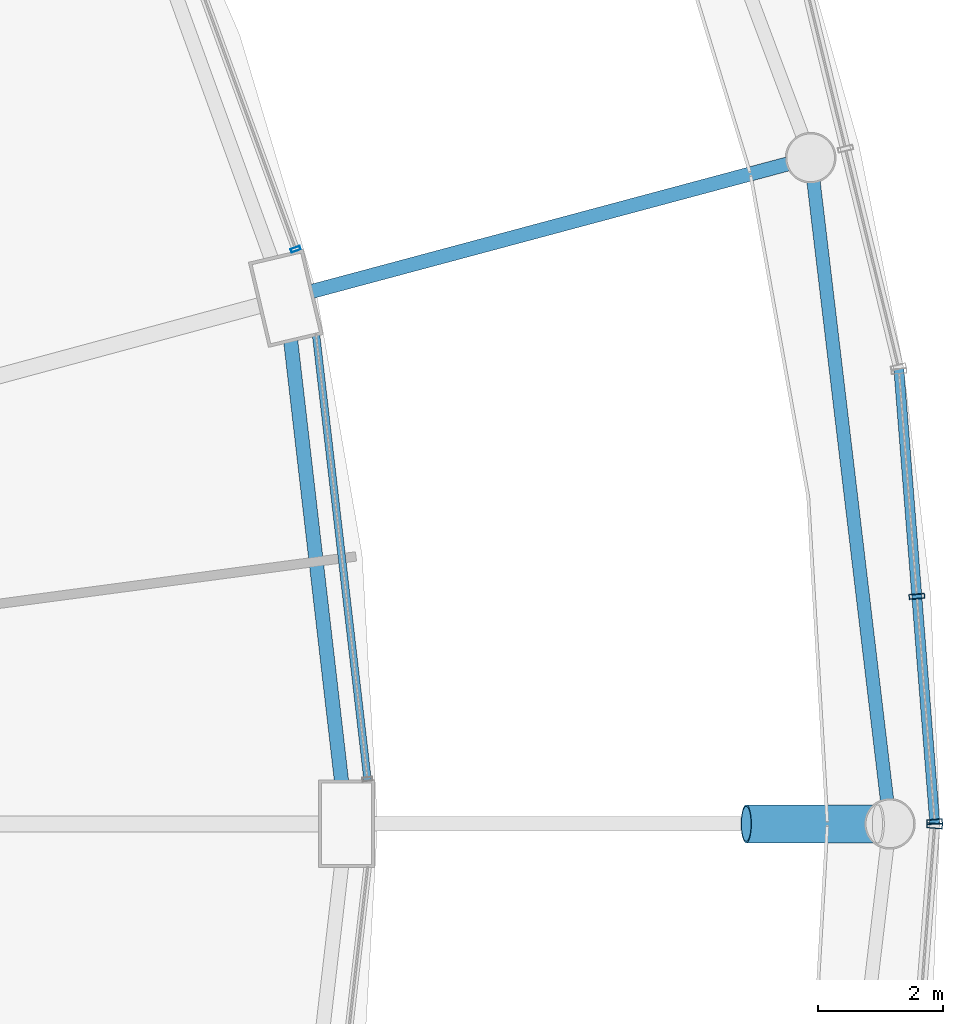
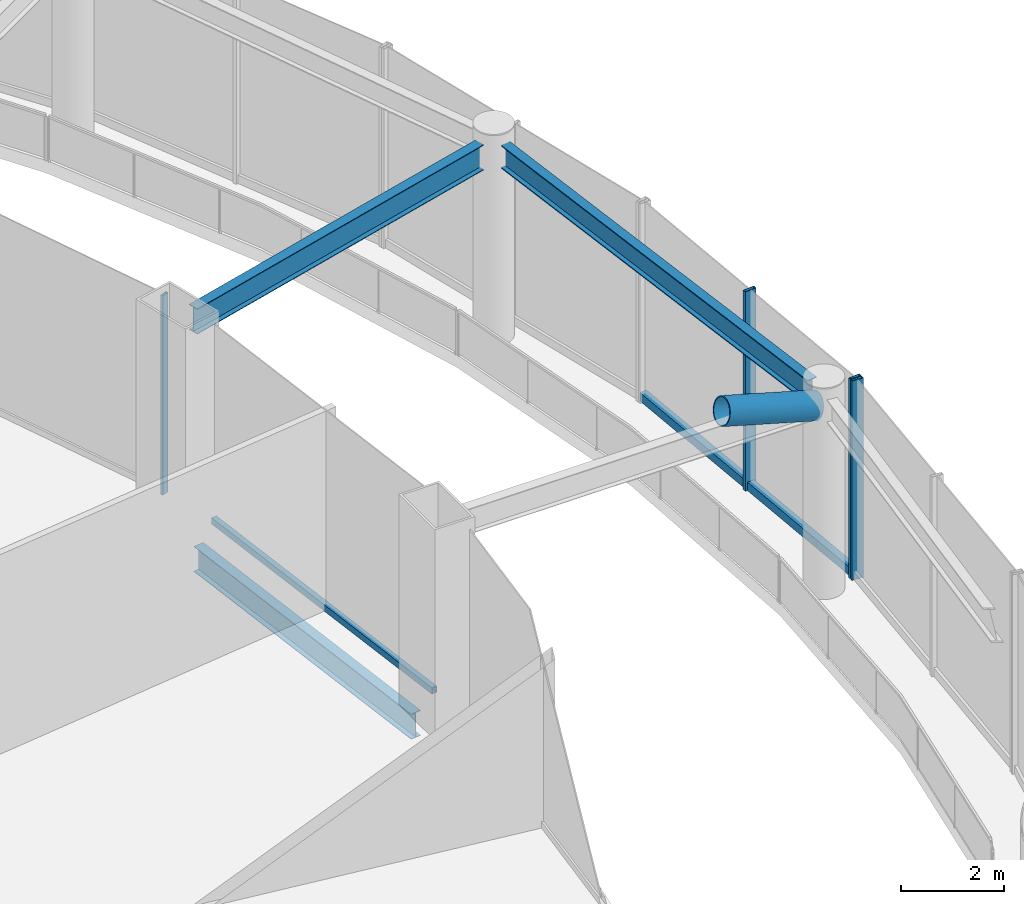
# One storey, part 28 of 52: 7 members, 3 beams, 4 elements without a shape of their own.
"""IFC4 building model written with IfcOpenShell, lengths in metres."""

from ifc_helpers import new_model, si_unit, direction, frame, origin, origin_2d, place, context, subcontext, project, spatial, hollow_rectangle, hollow_circle, i_section, extrude, material, layer, layer_set, material_profile, profile_set, type_object, element, aggregate, save


model = new_model("IFC4")

# Units and contexts
model_context = context("Model", 3, precision=1e-05, world=origin(), true_north=direction((0.0, 1.0)))
body_context = subcontext(model_context, "Body", "Model", "MODEL_VIEW")
ifc_project = project(units=[si_unit("LENGTHUNIT", "METRE"), si_unit("AREAUNIT", "SQUARE_METRE"), si_unit("VOLUMEUNIT", "CUBIC_METRE"), si_unit("PLANEANGLEUNIT", "RADIAN"), si_unit("MASSUNIT", "GRAM", prefix="KILO")], contexts=[model_context])

# Site, building, storey
site_placement = place(None, origin())
site = spatial("IfcSite", under=ifc_project, at=site_placement, CompositionType="ELEMENT")
building_placement = place(site_placement, origin())
building = spatial("IfcBuilding", under=site, at=building_placement, Name="Nagisa Residences", CompositionType="ELEMENT")
storey_placement = place(building_placement, frame((0.0, 0.0, 22.0)))
storey = spatial("IfcBuildingStorey", under=building, at=storey_placement, Name="L04", CompositionType="ELEMENT", Elevation=22.0)

# Beams
ifc_material_1 = material(Name="Steel ASTM A572 Gr 50", Category="steel")
ifc_material_profile_1 = material_profile(ifc_material_1, i_section(OverallWidth=0.214111328125, OverallDepth=0.549072265625, WebThickness=0.0146484375, FlangeThickness=0.023681640625, at=origin_2d()), Name="W530x138")
ifc_profile_set_1 = profile_set([ifc_material_profile_1], Name="Steel ASTM A572 Gr 50")
beam_type_1 = type_object("IfcBeamType", Name="Atrium ring beam W530x138", PredefinedType="BEAM", material=ifc_profile_set_1)
beam_1_placement = place(storey_placement, frame((40.75439453125, 0.3837890625, 4.4755859375), z_axis=(-0.118035165542, 0.993009415713, 0.0), x_axis=(-0.993009415713, -0.118035165542, 0.0)))
element("IfcBeam", 1, at=beam_1_placement, inside=storey, type_object=beam_type_1, Name="beam:L04:rab01", PredefinedType="BEAM", context=body_context, shape_type="SweptSolid", body=[
    extrude(i_section(OverallWidth=0.214111328125, OverallDepth=0.549072265625, WebThickness=0.0146484375, FlangeThickness=0.023681640625, at=origin_2d()), origin(), (0.0, 0.0, 1.0), 9.96533203125),
])
ifc_material_2 = material(Name="Steel ASTM A572 Gr 50", Category="steel")
ifc_material_profile_2 = material_profile(ifc_material_2, i_section(OverallWidth=0.22802734375, OverallDepth=0.60302734375, WebThickness=0.010498046875, FlangeThickness=0.014892578125, at=origin_2d()), Name="W610x101")
ifc_profile_set_2 = profile_set([ifc_material_profile_2], Name="Steel ASTM A572 Gr 50")
beam_type_2 = type_object("IfcBeamType", Name="Atrium roof beam W610x101", PredefinedType="BEAM", material=ifc_profile_set_2)
beam_2_placement = place(storey_placement, frame((31.54443359375, 8.52294921875, 4.448486328125), z_axis=(0.965928422324, 0.258809356376, 0.0), x_axis=(-0.258809356376, 0.965928422324, 0.0)))
element("IfcBeam", 2, at=beam_2_placement, inside=storey, type_object=beam_type_2, Name="beam:L04:rer02", PredefinedType="BEAM", context=body_context, shape_type="SweptSolid", body=[
    extrude(i_section(OverallWidth=0.22802734375, OverallDepth=0.60302734375, WebThickness=0.010498046875, FlangeThickness=0.014892578125, at=origin_2d()), origin(), (0.0, 0.0, 1.0), 7.88330078125),
])

# Curtain wall, members
ifc_material_3 = material(Name="Stainless steel curtain wall system", Category="steel")
ifc_layer_1 = layer(ifc_material_3, 0.159912109375)
ifc_layer_set_1 = layer_set([ifc_layer_1], Name="CW3 CURTAIN WALL")
curtain_wall_type_1 = type_object("IfcCurtainWallType", Name="CW3 CURTAIN WALL", PredefinedType="NOTDEFINED", material=ifc_layer_set_1)
curtain_wall_1_placement = place(storey_placement, origin())
curtain_wall_1 = element("IfcCurtainWall", 3, at=curtain_wall_1_placement, inside=storey, type_object=curtain_wall_type_1, Name="cw:CW3:L04:00", PredefinedType="NOTDEFINED")
ifc_material_4 = material(Name="Stainless steel", Category="steel")
ifc_material_profile_3 = material_profile(ifc_material_4, hollow_rectangle(XDim=0.25, YDim=0.080078125, WallThickness=0.008056640625, at=origin_2d()), Name="CW3 MULLION 250x80")
ifc_profile_set_3 = profile_set([ifc_material_profile_3], Name="Stainless steel")
member_type_1 = type_object("IfcMemberType", Name="CW3 MULLION 250x80", PredefinedType="MULLION", material=ifc_profile_set_3)
member_1_placement = place(storey_placement, frame((41.51708984375, 0.033447265625, 0.0), z_axis=(0.0, 0.0, 1.0), x_axis=(-0.996881777235, -0.078909582539, 0.0)))
member_1 = element("IfcMember", 4, at=member_1_placement, type_object=member_type_1, Name="CW3 mullion", PredefinedType="MULLION", context=body_context, shape_type="SweptSolid", body=[
    extrude(hollow_rectangle(XDim=0.25, YDim=0.080078125, WallThickness=0.008056640625, at=origin_2d()), origin(), (0.0, 0.0, 1.0), 4.739990234375),
])
member_2_placement = place(storey_placement, frame((41.231689453125, 3.640380859375, 0.0), z_axis=(0.0, 0.0, 1.0), x_axis=(-0.996881777235, -0.078909582539, 0.0)))
member_2 = element("IfcMember", 5, at=member_2_placement, type_object=member_type_1, Name="CW3 mullion", PredefinedType="MULLION", context=body_context, shape_type="SweptSolid", body=[
    extrude(hollow_rectangle(XDim=0.25, YDim=0.080078125, WallThickness=0.008056640625, at=origin_2d()), origin(), (0.0, 0.0, 1.0), 4.739990234375),
])

# Curtain wall, member
curtain_wall_2_placement = place(storey_placement, origin())
curtain_wall_2 = element("IfcCurtainWall", 6, at=curtain_wall_2_placement, inside=storey, type_object=curtain_wall_type_1, Name="cw:CW3:L04:35", PredefinedType="NOTDEFINED")
member_3_placement = place(storey_placement, frame((41.51708984375, -0.033447265625, 0.0), z_axis=(0.0, 0.0, 1.0), x_axis=(-0.996881777235, 0.078909582539, 0.0)))
member_3 = element("IfcMember", 7, at=member_3_placement, type_object=member_type_1, Name="CW3 mullion", PredefinedType="MULLION", context=body_context, shape_type="SweptSolid", body=[
    extrude(hollow_rectangle(XDim=0.25, YDim=0.080078125, WallThickness=0.008056640625, at=origin_2d()), origin(), (0.0, 0.0, 1.0), 4.739990234375),
])
aggregate(curtain_wall_2, [member_3])

# Member
ifc_material_5 = material(Name="Stainless steel", Category="steel")
ifc_material_profile_4 = material_profile(ifc_material_5, hollow_rectangle(XDim=0.159912109375, YDim=0.199951171875, WallThickness=0.008056640625, at=origin_2d()), Name="CW3 TRANSOM 160x200")
ifc_profile_set_4 = profile_set([ifc_material_profile_4], Name="Stainless steel")
member_type_2 = type_object("IfcMemberType", Name="CW3 TRANSOM 160x200", PredefinedType="USERDEFINED", material=ifc_profile_set_4)
member_4_placement = place(storey_placement, frame((41.520263671875, -0.00634765625, 0.10009765625), z_axis=(-0.078921540002, 0.996880830653, 0.0), x_axis=(-0.996880830653, -0.078921540002, 0.0)))
member_4 = element("IfcMember", 8, at=member_4_placement, type_object=member_type_2, Name="CW3 transom", ObjectType="TRANSOM", PredefinedType="USERDEFINED", context=body_context, shape_type="SweptSolid", body=[
    extrude(hollow_rectangle(XDim=0.159912109375, YDim=0.199951171875, WallThickness=0.008056640625, at=origin_2d()), origin(), (0.0, 0.0, 1.0), 7.31591796875),
])

aggregate(curtain_wall_1, [member_1, member_2, member_4])

# Curtain wall, member
ifc_material_6 = material(Name="Stainless steel curtain wall system", Category="steel")
ifc_layer_2 = layer(ifc_material_6, 0.159912109375)
ifc_layer_set_2 = layer_set([ifc_layer_2], Name="CW6 CURTAIN WALL")
curtain_wall_type_2 = type_object("IfcCurtainWallType", Name="CW6 CURTAIN WALL", PredefinedType="NOTDEFINED", material=ifc_layer_set_2)
curtain_wall_3_placement = place(storey_placement, origin())
curtain_wall_3 = element("IfcCurtainWall", 9, at=curtain_wall_3_placement, inside=storey, type_object=curtain_wall_type_2, Name="cw:CW6:L04:02", PredefinedType="NOTDEFINED")
ifc_material_7 = material(Name="Stainless steel", Category="steel")
ifc_material_profile_5 = material_profile(ifc_material_7, hollow_rectangle(XDim=0.159912109375, YDim=0.06005859375, WallThickness=0.006103515625, at=origin_2d()), Name="CW6 MULLION 160x60")
ifc_profile_set_5 = profile_set([ifc_material_profile_5], Name="Stainless steel")
member_type_3 = type_object("IfcMemberType", Name="CW6 MULLION 160x60", PredefinedType="MULLION", material=ifc_profile_set_5)
member_5_placement = place(storey_placement, frame((31.286865234375, 9.19970703125, 0.0), z_axis=(0.0, 0.0, 1.0), x_axis=(-0.939681861718, -0.342049702176, 0.0)))
member_5 = element("IfcMember", 10, at=member_5_placement, type_object=member_type_3, Name="CW6 mullion", PredefinedType="MULLION", context=body_context, shape_type="SweptSolid", body=[
    extrude(hollow_rectangle(XDim=0.159912109375, YDim=0.06005859375, WallThickness=0.006103515625, at=origin_2d()), origin(), (0.0, 0.0, 1.0), 4.739990234375),
])
aggregate(curtain_wall_3, [member_5])

curtain_wall_4_placement = place(storey_placement, origin())
curtain_wall_4 = element("IfcCurtainWall", 11, at=curtain_wall_4_placement, inside=storey, type_object=curtain_wall_type_2, Name="cw:CW6:L04:00", PredefinedType="NOTDEFINED")
ifc_material_8 = material(Name="Stainless steel", Category="steel")
ifc_material_profile_6 = material_profile(ifc_material_8, hollow_rectangle(XDim=0.1201171875, YDim=0.14990234375, WallThickness=0.008056640625, at=origin_2d()), Name="CW6 TRANSOM 120x150")
ifc_profile_set_6 = profile_set([ifc_material_profile_6], Name="Stainless steel")
member_type_4 = type_object("IfcMemberType", Name="CW6 TRANSOM 120x150", PredefinedType="USERDEFINED", material=ifc_profile_set_6)
member_6_placement = place(storey_placement, frame((32.440185546875, 0.686279296875, 0.074951171875), z_axis=(-0.114949818518, 0.993371299778, 0.0), x_axis=(-0.993371299778, -0.114949818518, 0.0)))
member_6 = element("IfcMember", 12, at=member_6_placement, type_object=member_type_4, Name="CW6 transom", ObjectType="TRANSOM", PredefinedType="USERDEFINED", context=body_context, shape_type="SweptSolid", body=[
    extrude(hollow_rectangle(XDim=0.1201171875, YDim=0.14990234375, WallThickness=0.008056640625, at=origin_2d()), origin(), (0.0, 0.0, 1.0), 7.19775390625),
])
aggregate(curtain_wall_4, [member_6])

# Member
ifc_material_9 = material(Name="Steel ASTM A572 Gr 65", Category="steel")
ifc_material_profile_7 = material_profile(ifc_material_9, hollow_circle(Radius=0.304931640625, WallThickness=0.02490234375, at=origin_2d()), Name="CHS 610x25")
ifc_profile_set_7 = profile_set([ifc_material_profile_7], Name="Steel ASTM A572 Gr 65")
member_type_5 = type_object("IfcMemberType", Name="Cage strut CHS 610x25", PredefinedType="STRUT", material=ifc_profile_set_7)
member_7_placement = place(storey_placement, frame((38.5, 0.0, 5.0), z_axis=(0.961515511102, 0.0, -0.274750654067), x_axis=(0.0, 1.0, 0.0)))
element("IfcMember", 13, at=member_7_placement, inside=storey, type_object=member_type_5, Name="mem:L04:cg1tie01", PredefinedType="STRUT", context=body_context, shape_type="SweptSolid", body=[
    extrude(hollow_circle(Radius=0.304931640625, WallThickness=0.02490234375, at=origin_2d()), origin(), (0.0, 0.0, 1.0), 2.18408203125),
])

# Beam
ifc_material_10 = material(Name="Steel ASTM A572 Gr 50", Category="steel")
ifc_material_profile_8 = material_profile(ifc_material_10, i_section(OverallWidth=0.22802734375, OverallDepth=0.60302734375, WebThickness=0.010498046875, FlangeThickness=0.014892578125, at=origin_2d()), Name="W610x101")
ifc_profile_set_8 = profile_set([ifc_material_profile_8], Name="Steel ASTM A572 Gr 50")
beam_type_3 = type_object("IfcBeamType", Name="Perimeter ring beam W610x101", PredefinedType="BEAM", material=ifc_profile_set_8)
beam_3_placement = place(storey_placement, frame((32.021484375, 0.68017578125, -0.6015625), z_axis=(-0.114673717321, 0.993403210462, 0.0), x_axis=(-0.993403210462, -0.114673717321, 0.0)))
element("IfcBeam", 14, at=beam_3_placement, inside=storey, type_object=beam_type_3, Name="beam:L04:pb01", PredefinedType="BEAM", context=body_context, shape_type="SweptSolid", body=[
    extrude(i_section(OverallWidth=0.22802734375, OverallDepth=0.60302734375, WebThickness=0.010498046875, FlangeThickness=0.014892578125, at=origin_2d()), origin(), (0.0, 0.0, 1.0), 7.09814453125),
])

save(model, "model.ifc")
